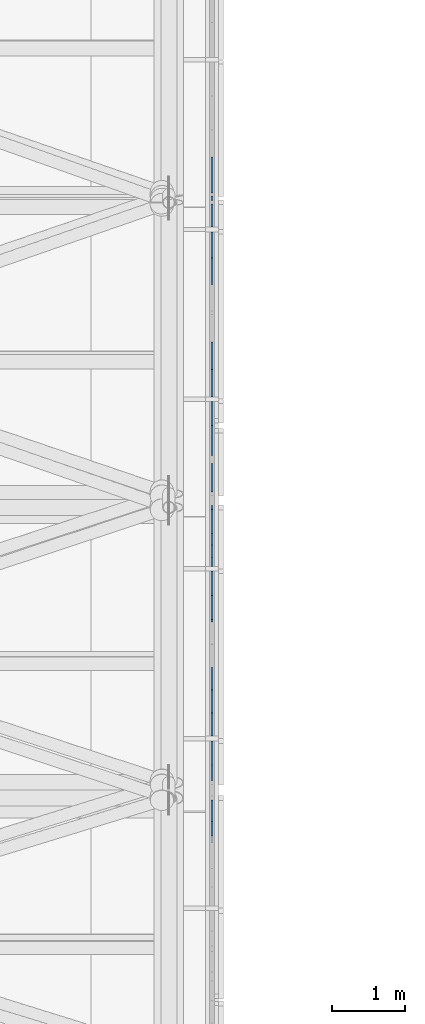
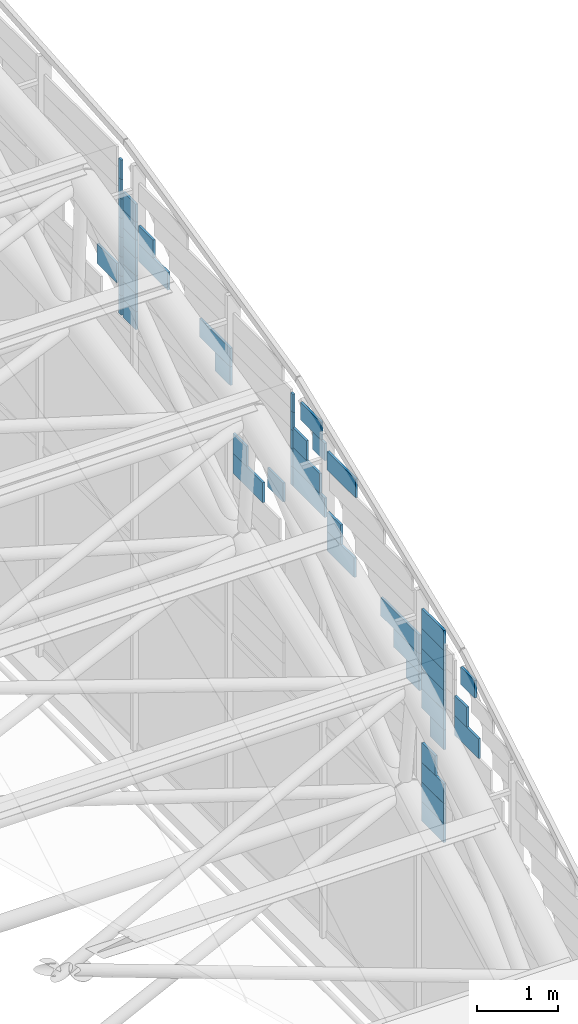
# One storey, part 77 of 110: 52 plates, 1 element without a shape of its own.
"""IFC4 building model written with IfcOpenShell, lengths in metres."""

from ifc_helpers import new_model, si_unit, direction, frame, origin, place, context, subcontext, project, spatial, polyline, outline, extrude, material, layer, layer_set, type_object, element, aggregate, save


model = new_model("IFC4")

# Units and contexts
model_context = context("Model", 3, precision=1e-05, world=origin(), true_north=direction((0.0, 1.0)))
body_context = subcontext(model_context, "Body", "Model", "MODEL_VIEW")
ifc_project = project(units=[si_unit("LENGTHUNIT", "METRE"), si_unit("AREAUNIT", "SQUARE_METRE"), si_unit("VOLUMEUNIT", "CUBIC_METRE"), si_unit("PLANEANGLEUNIT", "RADIAN"), si_unit("MASSUNIT", "GRAM", prefix="KILO")], contexts=[model_context])

# Site, building, storey
site_placement = place(None, origin())
site = spatial("IfcSite", under=ifc_project, at=site_placement, CompositionType="ELEMENT")
building_placement = place(site_placement, origin())
building = spatial("IfcBuilding", under=site, at=building_placement, Name="Windward Yard Aquatics Centre", CompositionType="ELEMENT")
storey_placement = place(building_placement, frame((0.0, 0.0, 22.60009765625)))
storey = spatial("IfcBuildingStorey", under=building, at=storey_placement, Name="L05", CompositionType="ELEMENT", Elevation=22.60009765625)

# Curtain wall, plates
ifc_material_1 = material(Name="Glass and aluminium curtain wall", Category="aluminium")
ifc_layer_1 = layer(ifc_material_1, 0.179931640625)
ifc_layer_set_1 = layer_set([ifc_layer_1], Name="H gable glazing system double glazed 8+16+8")
curtain_wall_type = type_object("IfcCurtainWallType", Name="H gable glazing system double glazed 8+16+8", PredefinedType="NOTDEFINED", material=ifc_layer_set_1)
curtain_wall_placement = place(storey_placement, origin())
curtain_wall = element("IfcCurtainWall", 1, at=curtain_wall_placement, inside=storey, type_object=curtain_wall_type, Name="Gable glazing E", PredefinedType="NOTDEFINED")
ifc_material_2 = material(Name="Low-iron glass", Category="glass")
ifc_layer_2 = layer(ifc_material_2, 0.008, Name="Outer pane")
ifc_material_3 = material(Name="Argon-filled cavity")
ifc_layer_3 = layer(ifc_material_3, 0.016, Name="Cavity")
ifc_layer_4 = layer(ifc_material_2, 0.008, Name="Inner pane")
ifc_layer_set_2 = layer_set([ifc_layer_2, ifc_layer_3, ifc_layer_4], Name="H gable glass low-e double glazed unit 32")
plate_type = type_object("IfcPlateType", Name="H gable glass low-e double glazed unit 32", PredefinedType="CURTAIN_PANEL", material=ifc_layer_set_2)
plate_1_placement = place(storey_placement, frame((144.60595703125, 48.829345703125, 3.14990234375), z_axis=(1.0, 0.0, 0.0), x_axis=(0.0, 1.0, 0.0)))
plate_1 = element("IfcPlate", 2, at=plate_1_placement, type_object=plate_type, Name="Gable panel 4.2a", PredefinedType="CURTAIN_PANEL", context=body_context, shape_type="SweptSolid", body=[
    extrude(outline(polyline([(0.0, 0.0), (0.541992, 0.0), (0.541992, 0.293213), (0.0, 0.293213), (0.0, 0.0)])), origin(), (0.0, 0.0, -1.0), 0.031982421875),
])
plate_2_placement = place(storey_placement, frame((144.60595703125, 48.829345703125, 3.443359375), z_axis=(1.0, 0.0, 0.0), x_axis=(0.0, 1.0, 0.0)))
plate_2 = element("IfcPlate", 3, at=plate_2_placement, type_object=plate_type, Name="Gable panel 4.2b", PredefinedType="CURTAIN_PANEL", context=body_context, shape_type="SweptSolid", body=[
    extrude(outline(polyline([(0.0, 0.0), (0.541992, 0.0), (0.541992, 0.292969), (0.0, 0.292969), (0.0, 0.0)])), origin(), (0.0, 0.0, -1.0), 0.031982421875),
])
plate_3_placement = place(storey_placement, frame((144.60595703125, 48.829345703125, 3.73681640625), z_axis=(1.0, 0.0, 0.0), x_axis=(0.0, 1.0, 0.0)))
plate_3 = element("IfcPlate", 4, at=plate_3_placement, type_object=plate_type, Name="Gable panel 4.2c", PredefinedType="CURTAIN_PANEL", context=body_context, shape_type="SweptSolid", body=[
    extrude(outline(polyline([(0.0, 0.0), (0.541992, 0.0), (0.541992, 0.292969), (0.0, 0.292969), (0.0, 0.0)])), origin(), (0.0, 0.0, -1.0), 0.031982421875),
])
plate_4_placement = place(storey_placement, frame((144.60595703125, 49.039794921875, 4.0302734375), z_axis=(1.0, 0.0, 0.0), x_axis=(0.0, 1.0, 0.0)))
plate_4 = element("IfcPlate", 5, at=plate_4_placement, type_object=plate_type, Name="Gable panel 4.2d", PredefinedType="CURTAIN_PANEL", context=body_context, shape_type="SweptSolid", body=[
    extrude(outline(polyline([(0.0, 0.0), (0.331543, 0.0), (0.331543, 0.292969), (0.0, 0.292969), (0.0, 0.0)])), origin(), (0.0, 0.0, -1.0), 0.031982421875),
])
plate_5_placement = place(storey_placement, frame((144.60595703125, 48.829345703125, 4.5419921875), z_axis=(1.0, 0.0, 0.0), x_axis=(0.0, 1.0, 0.0)))
plate_5 = element("IfcPlate", 6, at=plate_5_placement, type_object=plate_type, Name="Gable panel 4.2x", PredefinedType="CURTAIN_PANEL", context=body_context, shape_type="SweptSolid", body=[
    extrude(outline(polyline([(0.0, 0.0), (0.336914, 0.0), (0.336914, 0.297607), (0.0, 0.297607), (0.0, 0.0)])), origin(), (0.0, 0.0, -1.0), 0.031982421875),
])
plate_6_placement = place(storey_placement, frame((144.60595703125, 48.829345703125, 4.840087890625), z_axis=(1.0, 0.0, 0.0), x_axis=(0.0, 1.0, 0.0)))
plate_6 = element("IfcPlate", 7, at=plate_6_placement, type_object=plate_type, Name="Gable panel 4.2y", PredefinedType="CURTAIN_PANEL", context=body_context, shape_type="SweptSolid", body=[
    extrude(outline(polyline([(0.0, 0.0), (0.541992, 0.0), (0.541992, 0.297852), (0.0, 0.297852), (0.0, 0.0)])), origin(), (0.0, 0.0, -1.0), 0.031982421875),
])
plate_7_placement = place(storey_placement, frame((144.60595703125, 48.829345703125, 5.138427734375), z_axis=(1.0, 0.0, 0.0), x_axis=(0.0, 1.0, 0.0)))
plate_7 = element("IfcPlate", 8, at=plate_7_placement, type_object=plate_type, Name="Gable panel 4.2z", PredefinedType="CURTAIN_PANEL", context=body_context, shape_type="SweptSolid", body=[
    extrude(outline(polyline([(0.0, 0.0), (0.541992, 0.0), (0.541992, 0.297607), (0.0, 0.297607), (0.0, 0.0)])), origin(), (0.0, 0.0, -1.0), 0.031982421875),
])
plate_8_placement = place(storey_placement, frame((144.60595703125, 48.829345703125, 5.4365234375), z_axis=(1.0, 0.0, 0.0), x_axis=(0.0, 1.0, 0.0)))
plate_8 = element("IfcPlate", 9, at=plate_8_placement, type_object=plate_type, Name="Gable panel 4.2aa", PredefinedType="CURTAIN_PANEL", context=body_context, shape_type="SweptSolid", body=[
    extrude(outline(polyline([(0.0, 0.0), (0.541992, 0.0), (0.541992, 0.297852), (0.0, 0.297852), (0.0, 0.0)])), origin(), (0.0, 0.0, -1.0), 0.031982421875),
])
plate_9_placement = place(storey_placement, frame((144.60595703125, 48.829345703125, 5.73486328125), z_axis=(1.0, 0.0, 0.0), x_axis=(0.0, 1.0, 0.0)))
plate_9 = element("IfcPlate", 10, at=plate_9_placement, type_object=plate_type, Name="Gable panel 4.2ab", PredefinedType="CURTAIN_PANEL", context=body_context, shape_type="SweptSolid", body=[
    extrude(outline(polyline([(0.0, 0.0), (0.541992, 0.0), (0.541992, 0.297852), (0.0, 0.297852), (0.0, 0.0)])), origin(), (0.0, 0.0, -1.0), 0.031982421875),
])
plate_10_placement = place(storey_placement, frame((144.60595703125, 48.829345703125, 6.032958984375), z_axis=(1.0, 0.0, 0.0), x_axis=(0.0, 1.0, 0.0)))
plate_10 = element("IfcPlate", 11, at=plate_10_placement, type_object=plate_type, Name="Gable panel 4.2ac", PredefinedType="CURTAIN_PANEL", context=body_context, shape_type="SweptSolid", body=[
    extrude(outline(polyline([(0.0, 0.0), (0.541992, 0.0), (0.541992, 0.297852), (0.0, 0.297852), (0.0, 0.0)])), origin(), (0.0, 0.0, -1.0), 0.031982421875),
])
plate_11_placement = place(storey_placement, frame((144.60595703125, 47.978515625, 4.926513671875), z_axis=(1.0, 0.0, 0.0), x_axis=(0.0, 1.0, 0.0)))
plate_11 = element("IfcPlate", 12, at=plate_11_placement, type_object=plate_type, Name="Gable panel 4.2at", PredefinedType="CURTAIN_PANEL", context=body_context, shape_type="SweptSolid", body=[
    extrude(outline(polyline([(0.0, 0.0), (0.583252, 0.0), (0.583252, 0.295654), (0.0, 0.295654), (0.0, 0.0)])), origin(), (0.0, 0.0, -1.0), 0.031982421875),
])
plate_12_placement = place(storey_placement, frame((144.60595703125, 48.27001953125, 5.22265625), z_axis=(1.0, 0.0, 0.0), x_axis=(0.0, 1.0, 0.0)))
plate_12 = element("IfcPlate", 13, at=plate_12_placement, type_object=plate_type, Name="Gable panel 4.2au", PredefinedType="CURTAIN_PANEL", context=body_context, shape_type="SweptSolid", body=[
    extrude(outline(polyline([(0.0, 0.0), (0.291748, 0.0), (0.291748, 0.295654), (0.0, 0.295654), (0.0, 0.0)])), origin(), (0.0, 0.0, -1.0), 0.031982421875),
])
plate_13_placement = place(storey_placement, frame((144.60595703125, 48.071533203125, 5.777587890625), z_axis=(1.0, 0.0, 0.0), x_axis=(0.0, 1.0, 0.0)))
plate_13 = element("IfcPlate", 14, at=plate_13_placement, type_object=plate_type, Name="Gable panel 4.2az", PredefinedType="CURTAIN_PANEL", context=body_context, shape_type="SweptSolid", body=[
    extrude(outline(polyline([(0.0, 0.0), (0.341797, 0.0), (0.341797, 0.262939), (0.0, 0.262939), (0.0, 0.0)])), origin(), (0.0, 0.0, -1.0), 0.031982421875),
])
plate_14_placement = place(storey_placement, frame((144.60595703125, 51.02783203125, 5.791015625), z_axis=(1.0, 0.0, 0.0), x_axis=(0.0, 1.0, 0.0)))
plate_14 = element("IfcPlate", 15, at=plate_14_placement, type_object=plate_type, Name="Gable panel 5.2j", PredefinedType="CURTAIN_PANEL", context=body_context, shape_type="SweptSolid", body=[
    extrude(outline(polyline([(0.0, 0.0), (0.662842, 0.0), (0.662842, 0.292969), (0.0, 0.292969), (0.0, 0.0)])), origin(), (0.0, 0.0, -1.0), 0.031982421875),
])
plate_15_placement = place(storey_placement, frame((144.60595703125, 51.359130859375, 6.08447265625), z_axis=(1.0, 0.0, 0.0), x_axis=(0.0, 1.0, 0.0)))
plate_15 = element("IfcPlate", 16, at=plate_15_placement, type_object=plate_type, Name="Gable panel 5.2k", PredefinedType="CURTAIN_PANEL", context=body_context, shape_type="SweptSolid", body=[
    extrude(outline(polyline([(0.0, 0.0), (0.331543, 0.0), (0.331543, 0.292969), (0.0, 0.292969), (0.0, 0.0)])), origin(), (0.0, 0.0, -1.0), 0.031982421875),
])
plate_16_placement = place(storey_placement, frame((144.60595703125, 49.436279296875, 5.059326171875), z_axis=(1.0, 0.0, 0.0), x_axis=(0.0, 1.0, 0.0)))
plate_16 = element("IfcPlate", 17, at=plate_16_placement, type_object=plate_type, Name="Gable panel 5.2l", PredefinedType="CURTAIN_PANEL", context=body_context, shape_type="SweptSolid", body=[
    extrude(outline(polyline([(0.0, 0.0), (0.314209, 0.0), (0.314209, 0.277588), (0.0, 0.277588), (0.0, 0.0)])), origin(), (0.0, 0.0, -1.0), 0.031982421875),
])
plate_17_placement = place(storey_placement, frame((144.60595703125, 49.436279296875, 5.33740234375), z_axis=(1.0, 0.0, 0.0), x_axis=(0.0, 1.0, 0.0)))
plate_17 = element("IfcPlate", 18, at=plate_17_placement, type_object=plate_type, Name="Gable panel 5.2m", PredefinedType="CURTAIN_PANEL", context=body_context, shape_type="SweptSolid", body=[
    extrude(outline(polyline([(0.0, 0.0), (0.62793, 0.0), (0.62793, 0.277588), (0.0, 0.277588), (0.0, 0.0)])), origin(), (0.0, 0.0, -1.0), 0.031982421875),
])
plate_18_placement = place(storey_placement, frame((144.60595703125, 49.436279296875, 5.615478515625), z_axis=(1.0, 0.0, 0.0), x_axis=(0.0, 1.0, 0.0)))
plate_18 = element("IfcPlate", 19, at=plate_18_placement, type_object=plate_type, Name="Gable panel 5.2n", PredefinedType="CURTAIN_PANEL", context=body_context, shape_type="SweptSolid", body=[
    extrude(outline(polyline([(0.0, 0.0), (0.941895, 0.0), (0.941895, 0.277588), (0.0, 0.277588), (0.0, 0.0)])), origin(), (0.0, 0.0, -1.0), 0.031982421875),
])
plate_19_placement = place(storey_placement, frame((144.60595703125, 50.998291015625, 7.005615234375), z_axis=(1.0, 0.0, 0.0), x_axis=(0.0, 1.0, 0.0)))
plate_19 = element("IfcPlate", 20, at=plate_19_placement, type_object=plate_type, Name="Gable panel 5.2s", PredefinedType="CURTAIN_PANEL", context=body_context, shape_type="SweptSolid", body=[
    extrude(outline(polyline([(0.0, 0.0), (0.692383, 0.0), (0.692383, 0.277588), (0.0, 0.277588), (0.0, 0.0)])), origin(), (0.0, 0.0, -1.0), 0.031982421875),
])
plate_20_placement = place(storey_placement, frame((144.60595703125, 53.275634765625, 5.550048828125), z_axis=(1.0, 0.0, 0.0), x_axis=(0.0, 1.0, 0.0)))
plate_20 = element("IfcPlate", 21, at=plate_20_placement, type_object=plate_type, Name="Gable panel 6.2i", PredefinedType="CURTAIN_PANEL", context=body_context, shape_type="SweptSolid", body=[
    extrude(outline(polyline([(0.0, 0.0), (0.734131, 0.0), (0.734131, 0.299561), (0.0, 0.299561), (0.0, 0.0)])), origin(), (0.0, 0.0, -1.0), 0.031982421875),
])
plate_21_placement = place(storey_placement, frame((144.60595703125, 53.67919921875, 5.85009765625), z_axis=(1.0, 0.0, 0.0), x_axis=(0.0, 1.0, 0.0)))
plate_21 = element("IfcPlate", 22, at=plate_21_placement, type_object=plate_type, Name="Gable panel 6.2j", PredefinedType="CURTAIN_PANEL", context=body_context, shape_type="SweptSolid", body=[
    extrude(outline(polyline([(0.0, 0.0), (0.330566, 0.0), (0.330566, 0.299805), (0.0, 0.299805), (0.0, 0.0)])), origin(), (0.0, 0.0, -1.0), 0.031982421875),
])
plate_22_placement = place(storey_placement, frame((144.60595703125, 52.774169921875, 5.86328125), z_axis=(1.0, 0.0, 0.0), x_axis=(0.0, 1.0, 0.0)))
plate_22 = element("IfcPlate", 23, at=plate_22_placement, type_object=plate_type, Name="Gable panel 6.2l", PredefinedType="CURTAIN_PANEL", context=body_context, shape_type="SweptSolid", body=[
    extrude(outline(polyline([(0.0, 0.0), (0.385742, 0.0), (0.385742, 0.286621), (0.0, 0.286621), (0.0, 0.0)])), origin(), (0.0, 0.0, -1.0), 0.031982421875),
])
plate_23_placement = place(storey_placement, frame((144.60595703125, 51.755615234375, 6.25), z_axis=(1.0, 0.0, 0.0), x_axis=(0.0, 1.0, 0.0)))
plate_23 = element("IfcPlate", 24, at=plate_23_placement, type_object=plate_type, Name="Gable panel 6.3a", PredefinedType="CURTAIN_PANEL", context=body_context, shape_type="SweptSolid", body=[
    extrude(outline(polyline([(0.0, 0.0), (0.780518, 0.0), (0.780518, 0.292236), (0.0, 0.292236), (0.0, 0.0)])), origin(), (0.0, 0.0, -1.0), 0.031982421875),
])
plate_24_placement = place(storey_placement, frame((144.60595703125, 51.875244140625, 6.542724609375), z_axis=(1.0, 0.0, 0.0), x_axis=(0.0, 1.0, 0.0)))
plate_24 = element("IfcPlate", 25, at=plate_24_placement, type_object=plate_type, Name="Gable panel 6.3b", PredefinedType="CURTAIN_PANEL", context=body_context, shape_type="SweptSolid", body=[
    extrude(outline(polyline([(0.0, 0.0), (0.660889, 0.0), (0.660889, 0.291992), (0.0, 0.291992), (0.0, 0.0)])), origin(), (0.0, 0.0, -1.0), 0.031982421875),
])
plate_25_placement = place(storey_placement, frame((144.60595703125, 52.20556640625, 6.835205078125), z_axis=(1.0, 0.0, 0.0), x_axis=(0.0, 1.0, 0.0)))
plate_25 = element("IfcPlate", 26, at=plate_25_placement, type_object=plate_type, Name="Gable panel 6.3c", PredefinedType="CURTAIN_PANEL", context=body_context, shape_type="SweptSolid", body=[
    extrude(outline(polyline([(0.0, 0.0), (0.330566, 0.0), (0.330566, 0.291992), (0.0, 0.291992), (0.0, 0.0)])), origin(), (0.0, 0.0, -1.0), 0.031982421875),
])
plate_26_placement = place(storey_placement, frame((144.60595703125, 52.5361328125, 6.25), z_axis=(1.0, 0.0, 0.0), x_axis=(0.0, 1.0, 0.0)))
plate_26 = element("IfcPlate", 27, at=plate_26_placement, type_object=plate_type, Name="Gable panel 6.3d", PredefinedType="CURTAIN_PANEL", context=body_context, shape_type="SweptSolid", body=[
    extrude(outline(polyline([(0.0, 0.0), (0.052979, 0.0), (0.052979, 0.274414), (0.0, 0.274414), (0.0, 0.0)])), origin(), (0.0, 0.0, -1.0), 0.031982421875),
])
plate_27_placement = place(storey_placement, frame((144.60595703125, 52.5361328125, 6.52490234375), z_axis=(1.0, 0.0, 0.0), x_axis=(0.0, 1.0, 0.0)))
plate_27 = element("IfcPlate", 28, at=plate_27_placement, type_object=plate_type, Name="Gable panel 6.3e", PredefinedType="CURTAIN_PANEL", context=body_context, shape_type="SweptSolid", body=[
    extrude(outline(polyline([(0.0, 0.0), (0.052979, 0.0), (0.052979, 0.274414), (0.0, 0.274414), (0.0, 0.0)])), origin(), (0.0, 0.0, -1.0), 0.031982421875),
])
plate_28_placement = place(storey_placement, frame((144.60595703125, 52.5361328125, 6.799560546875), z_axis=(1.0, 0.0, 0.0), x_axis=(0.0, 1.0, 0.0)))
plate_28 = element("IfcPlate", 29, at=plate_28_placement, type_object=plate_type, Name="Gable panel 6.3f", PredefinedType="CURTAIN_PANEL", context=body_context, shape_type="SweptSolid", body=[
    extrude(outline(polyline([(0.0, 0.0), (0.052979, 0.0), (0.052979, 0.274414), (0.0, 0.274414), (0.0, 0.0)])), origin(), (0.0, 0.0, -1.0), 0.031982421875),
])
plate_29_placement = place(storey_placement, frame((144.60595703125, 52.5361328125, 7.074462890625), z_axis=(1.0, 0.0, 0.0), x_axis=(0.0, 1.0, 0.0)))
plate_29 = element("IfcPlate", 30, at=plate_29_placement, type_object=plate_type, Name="Gable panel 6.3g", PredefinedType="CURTAIN_PANEL", context=body_context, shape_type="SweptSolid", body=[
    extrude(outline(polyline([(0.0, 0.0), (0.052979, 0.0), (0.052979, 0.27417), (0.0, 0.27417), (0.0, 0.0)])), origin(), (0.0, 0.0, -1.0), 0.031982421875),
])
plate_30_placement = place(storey_placement, frame((144.60595703125, 52.5361328125, 7.34912109375), z_axis=(1.0, 0.0, 0.0), x_axis=(0.0, 1.0, 0.0)))
plate_30 = element("IfcPlate", 31, at=plate_30_placement, type_object=plate_type, Name="Gable panel 6.3h", PredefinedType="CURTAIN_PANEL", context=body_context, shape_type="SweptSolid", body=[
    extrude(outline(polyline([(0.0, 0.0), (0.052979, 0.0), (0.052979, 0.274414), (0.0, 0.274414), (0.0, 0.0)])), origin(), (0.0, 0.0, -1.0), 0.031982421875),
])
plate_31_placement = place(storey_placement, frame((144.60595703125, 51.755615234375, 7.098388671875), z_axis=(1.0, 0.0, 0.0), x_axis=(0.0, 1.0, 0.0)))
plate_31 = element("IfcPlate", 32, at=plate_31_placement, type_object=plate_type, Name="Gable panel 6.3o", PredefinedType="CURTAIN_PANEL", context=body_context, shape_type="SweptSolid", body=[
    extrude(outline(polyline([(0.0, 0.0), (0.296631, 0.0), (0.296631, 0.262207), (0.0, 0.262207), (0.0, 0.0)])), origin(), (0.0, 0.0, -1.0), 0.031982421875),
])
plate_32_placement = place(storey_placement, frame((144.60595703125, 51.844482421875, 7.36083984375), z_axis=(1.0, 0.0, 0.0), x_axis=(0.0, 1.0, 0.0)))
plate_32 = element("IfcPlate", 33, at=plate_32_placement, type_object=plate_type, Name="Gable panel 6.3p", PredefinedType="CURTAIN_PANEL", context=body_context, shape_type="SweptSolid", body=[
    extrude(outline(polyline([(0.0, 0.0), (0.504395, 0.0), (0.504395, 0.262451), (0.0, 0.262451), (0.0, 0.0)])), origin(), (0.0, 0.0, -1.0), 0.031982421875),
])
plate_33_placement = place(storey_placement, frame((144.60595703125, 55.610107421875, 7.319091796875), z_axis=(1.0, 0.0, 0.0), x_axis=(0.0, 1.0, 0.0)))
plate_33 = element("IfcPlate", 34, at=plate_33_placement, type_object=plate_type, Name="Gable panel 7.3e", PredefinedType="CURTAIN_PANEL", context=body_context, shape_type="SweptSolid", body=[
    extrude(outline(polyline([(0.0, 0.0), (0.718994, 0.0), (0.718994, 0.266846), (0.0, 0.266846), (0.0, 0.0)])), origin(), (0.0, 0.0, -1.0), 0.031982421875),
])
plate_34_placement = place(storey_placement, frame((144.60595703125, 55.969482421875, 7.58642578125), z_axis=(1.0, 0.0, 0.0), x_axis=(0.0, 1.0, 0.0)))
plate_34 = element("IfcPlate", 35, at=plate_34_placement, type_object=plate_type, Name="Gable panel 7.3f", PredefinedType="CURTAIN_PANEL", context=body_context, shape_type="SweptSolid", body=[
    extrude(outline(polyline([(0.0, 0.0), (0.359619, 0.0), (0.359619, 0.266846), (0.0, 0.266846), (0.0, 0.0)])), origin(), (0.0, 0.0, -1.0), 0.031982421875),
])
plate_35_placement = place(storey_placement, frame((144.60595703125, 54.07470703125, 6.822509765625), z_axis=(1.0, 0.0, 0.0), x_axis=(0.0, 1.0, 0.0)))
plate_35 = element("IfcPlate", 36, at=plate_35_placement, type_object=plate_type, Name="Gable panel 7.3g", PredefinedType="CURTAIN_PANEL", context=body_context, shape_type="SweptSolid", body=[
    extrude(outline(polyline([(0.0, 0.0), (0.374756, 0.0), (0.374756, 0.277832), (0.0, 0.277832), (0.0, 0.0)])), origin(), (0.0, 0.0, -1.0), 0.031982421875),
])
plate_36_placement = place(storey_placement, frame((144.60595703125, 54.07470703125, 7.100830078125), z_axis=(1.0, 0.0, 0.0), x_axis=(0.0, 1.0, 0.0)))
plate_36 = element("IfcPlate", 37, at=plate_36_placement, type_object=plate_type, Name="Gable panel 7.3h", PredefinedType="CURTAIN_PANEL", context=body_context, shape_type="SweptSolid", body=[
    extrude(outline(polyline([(0.0, 0.0), (0.749023, 0.0), (0.749023, 0.278076), (0.0, 0.278076), (0.0, 0.0)])), origin(), (0.0, 0.0, -1.0), 0.031982421875),
])
plate_37_placement = place(storey_placement, frame((144.60595703125, 56.85986328125, 6.673583984375), z_axis=(1.0, 0.0, 0.0), x_axis=(0.0, 1.0, 0.0)))
plate_37 = element("IfcPlate", 38, at=plate_37_placement, type_object=plate_type, Name="Gable panel 8.3d", PredefinedType="CURTAIN_PANEL", context=body_context, shape_type="SweptSolid", body=[
    extrude(outline(polyline([(0.0, 0.0), (0.490234, 0.0), (0.490234, 0.290771), (0.0, 0.290771), (0.0, 0.0)])), origin(), (0.0, 0.0, -1.0), 0.031982421875),
])
plate_38_placement = place(storey_placement, frame((144.60595703125, 56.75537109375, 6.25), z_axis=(1.0, 0.0, 0.0), x_axis=(0.0, 1.0, 0.0)))
plate_38 = element("IfcPlate", 39, at=plate_38_placement, type_object=plate_type, Name="Gable panel 8.3k", PredefinedType="CURTAIN_PANEL", context=body_context, shape_type="SweptSolid", body=[
    extrude(outline(polyline([(0.0, 0.0), (0.063721, 0.0), (0.063721, 0.290039), (0.0, 0.290039), (0.0, 0.0)])), origin(), (0.0, 0.0, -1.0), 0.031982421875),
])
plate_39_placement = place(storey_placement, frame((144.60595703125, 56.75537109375, 6.54052734375), z_axis=(1.0, 0.0, 0.0), x_axis=(0.0, 1.0, 0.0)))
plate_39 = element("IfcPlate", 40, at=plate_39_placement, type_object=plate_type, Name="Gable panel 8.3l", PredefinedType="CURTAIN_PANEL", context=body_context, shape_type="SweptSolid", body=[
    extrude(outline(polyline([(0.0, 0.0), (0.063721, 0.0), (0.063721, 0.289795), (0.0, 0.289795), (0.0, 0.0)])), origin(), (0.0, 0.0, -1.0), 0.031982421875),
])
plate_40_placement = place(storey_placement, frame((144.60595703125, 56.75537109375, 6.830810546875), z_axis=(1.0, 0.0, 0.0), x_axis=(0.0, 1.0, 0.0)))
plate_40 = element("IfcPlate", 41, at=plate_40_placement, type_object=plate_type, Name="Gable panel 8.3m", PredefinedType="CURTAIN_PANEL", context=body_context, shape_type="SweptSolid", body=[
    extrude(outline(polyline([(0.0, 0.0), (0.063721, 0.0), (0.063721, 0.289795), (0.0, 0.289795), (0.0, 0.0)])), origin(), (0.0, 0.0, -1.0), 0.031982421875),
])
plate_41_placement = place(storey_placement, frame((144.60595703125, 56.75537109375, 7.12109375), z_axis=(1.0, 0.0, 0.0), x_axis=(0.0, 1.0, 0.0)))
plate_41 = element("IfcPlate", 42, at=plate_41_placement, type_object=plate_type, Name="Gable panel 8.3n", PredefinedType="CURTAIN_PANEL", context=body_context, shape_type="SweptSolid", body=[
    extrude(outline(polyline([(0.0, 0.0), (0.063721, 0.0), (0.063721, 0.289795), (0.0, 0.289795), (0.0, 0.0)])), origin(), (0.0, 0.0, -1.0), 0.031982421875),
])
plate_42_placement = place(storey_placement, frame((144.60595703125, 56.75537109375, 7.411376953125), z_axis=(1.0, 0.0, 0.0), x_axis=(0.0, 1.0, 0.0)))
plate_42 = element("IfcPlate", 43, at=plate_42_placement, type_object=plate_type, Name="Gable panel 8.3o", PredefinedType="CURTAIN_PANEL", context=body_context, shape_type="SweptSolid", body=[
    extrude(outline(polyline([(0.0, 0.0), (0.063721, 0.0), (0.063721, 0.289795), (0.0, 0.289795), (0.0, 0.0)])), origin(), (0.0, 0.0, -1.0), 0.031982421875),
])
plate_43_placement = place(storey_placement, frame((144.60595703125, 56.75537109375, 7.70166015625), z_axis=(1.0, 0.0, 0.0), x_axis=(0.0, 1.0, 0.0)))
plate_43 = element("IfcPlate", 44, at=plate_43_placement, type_object=plate_type, Name="Gable panel 8.3p", PredefinedType="CURTAIN_PANEL", context=body_context, shape_type="SweptSolid", body=[
    extrude(outline(polyline([(0.0, 0.0), (0.063721, 0.0), (0.063721, 0.289795), (0.0, 0.289795), (0.0, 0.0)])), origin(), (0.0, 0.0, -1.0), 0.031982421875),
])
plate_44_placement = place(storey_placement, frame((144.60595703125, 56.75537109375, 7.991943359375), z_axis=(1.0, 0.0, 0.0), x_axis=(0.0, 1.0, 0.0)))
plate_44 = element("IfcPlate", 45, at=plate_44_placement, type_object=plate_type, Name="Gable panel 8.3q", PredefinedType="CURTAIN_PANEL", context=body_context, shape_type="SweptSolid", body=[
    extrude(outline(polyline([(0.0, 0.0), (0.063721, 0.0), (0.063721, 0.289795), (0.0, 0.289795), (0.0, 0.0)])), origin(), (0.0, 0.0, -1.0), 0.031982421875),
])
plate_45_placement = place(storey_placement, frame((144.60595703125, 56.75537109375, 8.2822265625), z_axis=(1.0, 0.0, 0.0), x_axis=(0.0, 1.0, 0.0)))
plate_45 = element("IfcPlate", 46, at=plate_45_placement, type_object=plate_type, Name="Gable panel 8.3r", PredefinedType="CURTAIN_PANEL", context=body_context, shape_type="SweptSolid", body=[
    extrude(outline(polyline([(0.0, 0.0), (0.063721, 0.0), (0.063721, 0.290039), (0.0, 0.290039), (0.0, 0.0)])), origin(), (0.0, 0.0, -1.0), 0.031982421875),
])
plate_46_placement = place(storey_placement, frame((144.60595703125, 56.39404296875, 6.25), z_axis=(1.0, 0.0, 0.0), x_axis=(0.0, 1.0, 0.0)))
plate_46 = element("IfcPlate", 47, at=plate_46_placement, type_object=plate_type, Name="Gable panel 8.3s", PredefinedType="CURTAIN_PANEL", context=body_context, shape_type="SweptSolid", body=[
    extrude(outline(polyline([(0.0, 0.0), (0.313477, 0.0), (0.313477, 0.268799), (0.0, 0.268799), (0.0, 0.0)])), origin(), (0.0, 0.0, -1.0), 0.031982421875),
])
plate_47_placement = place(storey_placement, frame((144.60595703125, 56.39404296875, 6.51904296875), z_axis=(1.0, 0.0, 0.0), x_axis=(0.0, 1.0, 0.0)))
plate_47 = element("IfcPlate", 48, at=plate_47_placement, type_object=plate_type, Name="Gable panel 8.3t", PredefinedType="CURTAIN_PANEL", context=body_context, shape_type="SweptSolid", body=[
    extrude(outline(polyline([(0.0, 0.0), (0.313477, 0.0), (0.313477, 0.268799), (0.0, 0.268799), (0.0, 0.0)])), origin(), (0.0, 0.0, -1.0), 0.031982421875),
])
plate_48_placement = place(storey_placement, frame((144.60595703125, 56.39404296875, 6.7880859375), z_axis=(1.0, 0.0, 0.0), x_axis=(0.0, 1.0, 0.0)))
plate_48 = element("IfcPlate", 49, at=plate_48_placement, type_object=plate_type, Name="Gable panel 8.3u", PredefinedType="CURTAIN_PANEL", context=body_context, shape_type="SweptSolid", body=[
    extrude(outline(polyline([(0.0, 0.0), (0.313477, 0.0), (0.313477, 0.268799), (0.0, 0.268799), (0.0, 0.0)])), origin(), (0.0, 0.0, -1.0), 0.031982421875),
])
plate_49_placement = place(storey_placement, frame((144.60595703125, 56.39404296875, 7.05712890625), z_axis=(1.0, 0.0, 0.0), x_axis=(0.0, 1.0, 0.0)))
plate_49 = element("IfcPlate", 50, at=plate_49_placement, type_object=plate_type, Name="Gable panel 8.3v", PredefinedType="CURTAIN_PANEL", context=body_context, shape_type="SweptSolid", body=[
    extrude(outline(polyline([(0.0, 0.0), (0.313477, 0.0), (0.313477, 0.268799), (0.0, 0.268799), (0.0, 0.0)])), origin(), (0.0, 0.0, -1.0), 0.031982421875),
])
plate_50_placement = place(storey_placement, frame((144.60595703125, 56.39404296875, 7.326171875), z_axis=(1.0, 0.0, 0.0), x_axis=(0.0, 1.0, 0.0)))
plate_50 = element("IfcPlate", 51, at=plate_50_placement, type_object=plate_type, Name="Gable panel 8.3w", PredefinedType="CURTAIN_PANEL", context=body_context, shape_type="SweptSolid", body=[
    extrude(outline(polyline([(0.0, 0.0), (0.313477, 0.0), (0.313477, 0.268799), (0.0, 0.268799), (0.0, 0.0)])), origin(), (0.0, 0.0, -1.0), 0.031982421875),
])
plate_51_placement = place(storey_placement, frame((144.60595703125, 56.39404296875, 7.59521484375), z_axis=(1.0, 0.0, 0.0), x_axis=(0.0, 1.0, 0.0)))
plate_51 = element("IfcPlate", 52, at=plate_51_placement, type_object=plate_type, Name="Gable panel 8.3x", PredefinedType="CURTAIN_PANEL", context=body_context, shape_type="SweptSolid", body=[
    extrude(outline(polyline([(0.0, 0.0), (0.313477, 0.0), (0.313477, 0.268799), (0.0, 0.268799), (0.0, 0.0)])), origin(), (0.0, 0.0, -1.0), 0.031982421875),
])
plate_52_placement = place(storey_placement, frame((144.60595703125, 56.39404296875, 7.8642578125), z_axis=(1.0, 0.0, 0.0), x_axis=(0.0, 1.0, 0.0)))
plate_52 = element("IfcPlate", 53, at=plate_52_placement, type_object=plate_type, Name="Gable panel 8.3y", PredefinedType="CURTAIN_PANEL", context=body_context, shape_type="SweptSolid", body=[
    extrude(outline(polyline([(0.0, 0.0), (0.313477, 0.0), (0.313477, 0.268799), (0.0, 0.268799), (0.0, 0.0)])), origin(), (0.0, 0.0, -1.0), 0.031982421875),
])
aggregate(curtain_wall, [plate_1, plate_2, plate_3, plate_4, plate_5, plate_6, plate_7, plate_8, plate_9, plate_10, plate_11, plate_12, plate_13, plate_14, plate_15, plate_16, plate_17, plate_18, plate_19, plate_20, plate_21, plate_22, plate_23, plate_24, plate_25, plate_26, plate_27, plate_28, plate_29, plate_30, plate_31, plate_32, plate_33, plate_34, plate_35, plate_36, plate_37, plate_38, plate_39, plate_40, plate_41, plate_42, plate_43, plate_44, plate_45, plate_46, plate_47, plate_48, plate_49, plate_50, plate_51, plate_52])

save(model, "model.ifc")
